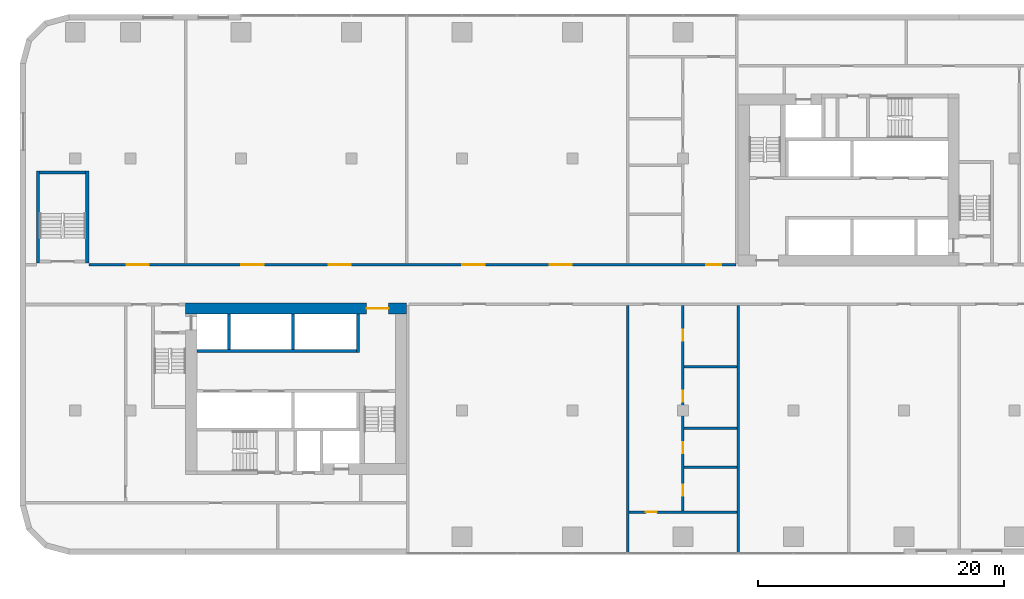
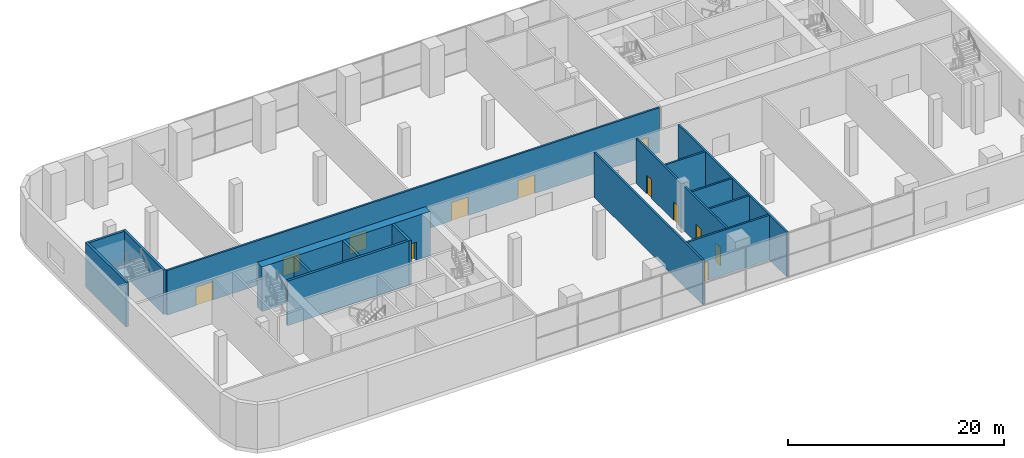
# One storey, part 10 of 21: 16 walls, 12 doors, 12 openings.
"""IFC4 building model written with IfcOpenShell, lengths in metres."""

from ifc_helpers import new_model, si_unit, direction, frame, frame_2d, origin, place, context, subcontext, project, spatial, rectangle, extrude, material, layer, layer_set, type_object, element, fill, save


model = new_model("IFC4")

# Units and contexts
model_context = context("Model", 3, precision=1e-05, world=origin(), true_north=direction((0.0, 1.0)))
body_context = subcontext(model_context, "Body", "Model", "MODEL_VIEW")
ifc_project = project(units=[si_unit("LENGTHUNIT", "METRE"), si_unit("AREAUNIT", "SQUARE_METRE"), si_unit("VOLUMEUNIT", "CUBIC_METRE"), si_unit("PLANEANGLEUNIT", "RADIAN"), si_unit("MASSUNIT", "GRAM", prefix="KILO")], contexts=[model_context])

# Site, building, storey
site_placement = place(None, origin())
site = spatial("IfcSite", under=ifc_project, at=site_placement, CompositionType="ELEMENT")
building_placement = place(site_placement, origin())
building = spatial("IfcBuilding", under=site, at=building_placement, Name="Kajstack Hotel Tower", CompositionType="ELEMENT")
storey_placement = place(building_placement, frame((0.0, 0.0, 23.5)))
storey = spatial("IfcBuildingStorey", under=building, at=storey_placement, Name="L03", CompositionType="ELEMENT", Elevation=23.5)

# Wall, opening, door
ifc_material_1 = material(Name="Concrete C60/75", Category="concrete")
ifc_layer_1 = layer(ifc_material_1, 0.89990234375)
ifc_layer_set_1 = layer_set([ifc_layer_1], Name="Core wall 900")
wall_type_1 = type_object("IfcWallType", Name="Core wall 900", PredefinedType="SHEAR", material=ifc_layer_set_1)
wall_1_placement = place(storey_placement, frame((-31.5, -1.949951171875, 0.0), z_axis=(0.0, 0.0, 1.0), x_axis=(1.0, 0.0, 0.0)))
wall_1 = element("IfcWall", 1, at=wall_1_placement, inside=storey, type_object=wall_type_1, Name="Core wall W RN", PredefinedType="SHEAR", context=body_context, shape_type="SweptSolid", body=[
    extrude(rectangle(XDim=18.0, YDim=0.89990234375, at=frame_2d((9.0, 0.0))), origin(), (0.0, 0.0, 1.0), 5.050048828125),
])
opening_1_placement = place(wall_1_placement, frame((14.72509765625, 0.0, 0.0)))
opening_1 = element("IfcOpeningElement", 2, at=opening_1_placement, cuts=wall_1, Name="Opening 03W06", PredefinedType="OPENING", context=body_context, shape_type="SweptSolid", body=[
    extrude(rectangle(XDim=1.800048828125, YDim=2.10009765625, at=frame_2d((0.89990234375, 1.050048828125))), frame((0.0, 0.4599609375, 0.0), z_axis=(0.0, -1.0, 0.0), x_axis=(1.0, 0.0, 0.0)), (0.0, 0.0, 1.0), 0.919921875),
])
ifc_material_2 = material(Name="Glazed steel frame, fire-rated glass", Category="steel")
door_type_1 = type_object("IfcDoorType", Name="Lobby double door 1800", OperationType="DOUBLE_DOOR_DOUBLE_SWING", PredefinedType="DOOR", material=ifc_material_2)
door_1_placement = place(opening_1_placement, origin())
door_1 = element("IfcDoor", 3, at=door_1_placement, inside=storey, type_object=door_type_1, Name="Door 03W06", OperationType="DOUBLE_DOOR_DOUBLE_SWING", OverallHeight=2.10009765625, OverallWidth=1.800048828125, PredefinedType="DOOR", context=body_context, shape_type="SweptSolid", body=[
    extrude(rectangle(XDim=1.800048828125, YDim=2.10009765625, at=frame_2d((0.89990234375, 1.050048828125))), frame((0.0, 0.02490234375, 0.0), z_axis=(0.0, -1.0, 0.0), x_axis=(1.0, 0.0, 0.0)), (0.0, 0.0, 1.0), 0.050048828125),
])
fill(opening_1, door_1)

# Wall
ifc_material_3 = material(Name="Concrete C50/60", Category="concrete")
ifc_layer_2 = layer(ifc_material_3, 0.300048828125)
ifc_layer_set_2 = layer_set([ifc_layer_2], Name="Hoistway divider wall 300")
wall_type_2 = type_object("IfcWallType", Name="Hoistway divider wall 300", PredefinedType="SHEAR", material=ifc_layer_set_2)
wall_2_placement = place(storey_placement, frame((-22.77490234375, -5.300048828125, 0.0), z_axis=(0.0, 0.0, 1.0), x_axis=(0.0, 1.0, 0.0)))
element("IfcWall", 4, at=wall_2_placement, inside=storey, type_object=wall_type_2, Name="Core wall W AP2", PredefinedType="SHEAR", context=body_context, shape_type="SweptSolid", body=[
    extrude(rectangle(XDim=2.900146484375, YDim=0.25, at=frame_2d((1.4501953125, 0.0))), origin(), (0.0, 0.0, 1.0), 5.050048828125),
])

# Wall, openings, doors
ifc_material_4 = material(Name="Gypsum board on steel studs, mineral wool", Category="steel")
ifc_layer_3 = layer(ifc_material_4, 0.199951171875)
ifc_layer_set_3 = layer_set([ifc_layer_3], Name="Public partition 200")
wall_type_3 = type_object("IfcWallType", Name="Public partition 200", PredefinedType="PARTITIONING", material=ifc_layer_set_3)
wall_3_placement = place(storey_placement, frame((-39.39990234375, 1.60009765625, 0.0), z_axis=(0.0, 0.0, 1.0), x_axis=(1.0, 0.0, 0.0)))
wall_3 = element("IfcWall", 5, at=wall_3_placement, inside=storey, type_object=wall_type_3, Name="Partition FW", PredefinedType="PARTITIONING", context=body_context, shape_type="SweptSolid", body=[
    extrude(rectangle(XDim=52.699951171875, YDim=0.199951171875, at=frame_2d((26.35009765625, 0.0))), origin(), (0.0, 0.0, 1.0), 5.050048828125),
])
opening_2_placement = place(wall_3_placement, frame((50.300048828125, 0.0, 0.0)))
opening_2 = element("IfcOpeningElement", 6, at=opening_2_placement, cuts=wall_3, Name="Opening 03P01", PredefinedType="OPENING", context=body_context, shape_type="SweptSolid", body=[
    extrude(rectangle(XDim=1.199951171875, YDim=2.10009765625, at=frame_2d((0.60009765625, 1.050048828125))), frame((0.0, 0.10986328125, 0.0), z_axis=(0.0, -1.0, 0.0), x_axis=(1.0, 0.0, 0.0)), (0.0, 0.0, 1.0), 0.219970703125),
])
opening_3_placement = place(wall_3_placement, frame((37.56005859375, 0.0, 0.0)))
opening_3 = element("IfcOpeningElement", 7, at=opening_3_placement, cuts=wall_3, Name="Opening 03P07", PredefinedType="OPENING", context=body_context, shape_type="SweptSolid", body=[
    extrude(rectangle(XDim=1.800048828125, YDim=2.10009765625, at=frame_2d((0.89990234375, 1.050048828125))), frame((0.0, 0.10986328125, 0.0), z_axis=(0.0, -1.0, 0.0), x_axis=(1.0, 0.0, 0.0)), (0.0, 0.0, 1.0), 0.219970703125),
])
opening_4_placement = place(wall_3_placement, frame((30.43994140625, 0.0, 0.0)))
opening_4 = element("IfcOpeningElement", 8, at=opening_4_placement, cuts=wall_3, Name="Opening 03P08", PredefinedType="OPENING", context=body_context, shape_type="SweptSolid", body=[
    extrude(rectangle(XDim=1.800048828125, YDim=2.10009765625, at=frame_2d((0.89990234375, 1.050048828125))), frame((0.0, 0.10986328125, 0.0), z_axis=(0.0, -1.0, 0.0), x_axis=(1.0, 0.0, 0.0)), (0.0, 0.0, 1.0), 0.219970703125),
])
opening_5_placement = place(wall_3_placement, frame((19.56005859375, 0.0, 0.0)))
opening_5 = element("IfcOpeningElement", 9, at=opening_5_placement, cuts=wall_3, Name="Opening 03P09", PredefinedType="OPENING", context=body_context, shape_type="SweptSolid", body=[
    extrude(rectangle(XDim=1.800048828125, YDim=2.10009765625, at=frame_2d((0.89990234375, 1.050048828125))), frame((0.0, 0.10986328125, 0.0), z_axis=(0.0, -1.0, 0.0), x_axis=(1.0, 0.0, 0.0)), (0.0, 0.0, 1.0), 0.219970703125),
])
opening_6_placement = place(wall_3_placement, frame((12.43994140625, 0.0, 0.0)))
opening_6 = element("IfcOpeningElement", 10, at=opening_6_placement, cuts=wall_3, Name="Opening 03P10", PredefinedType="OPENING", context=body_context, shape_type="SweptSolid", body=[
    extrude(rectangle(XDim=1.800048828125, YDim=2.10009765625, at=frame_2d((0.89990234375, 1.050048828125))), frame((0.0, 0.10986328125, 0.0), z_axis=(0.0, -1.0, 0.0), x_axis=(1.0, 0.0, 0.0)), (0.0, 0.0, 1.0), 0.219970703125),
])
opening_7_placement = place(wall_3_placement, frame((3.10009765625, 0.0, 0.0)))
opening_7 = element("IfcOpeningElement", 11, at=opening_7_placement, cuts=wall_3, Name="Opening 03P11", PredefinedType="OPENING", context=body_context, shape_type="SweptSolid", body=[
    extrude(rectangle(XDim=1.800048828125, YDim=2.10009765625, at=frame_2d((0.89990234375, 1.050048828125))), frame((0.0, 0.10986328125, 0.0), z_axis=(0.0, -1.0, 0.0), x_axis=(1.0, 0.0, 0.0)), (0.0, 0.0, 1.0), 0.219970703125),
])
ifc_material_5 = material(Name="Timber leaf, fire-rated", Category="wood")
door_type_2 = type_object("IfcDoorType", Name="Public corridor door 1200", OperationType="SINGLE_SWING_LEFT", PredefinedType="DOOR", material=ifc_material_5)
door_2_placement = place(opening_2_placement, origin())
door_2 = element("IfcDoor", 12, at=door_2_placement, inside=storey, type_object=door_type_2, Name="Door 03P01", OperationType="SINGLE_SWING_LEFT", OverallHeight=2.10009765625, OverallWidth=1.199951171875, PredefinedType="DOOR", context=body_context, shape_type="SweptSolid", body=[
    extrude(rectangle(XDim=1.199951171875, YDim=2.10009765625, at=frame_2d((0.60009765625, 1.050048828125))), frame((0.0, 0.02490234375, 0.0), z_axis=(0.0, -1.0, 0.0), x_axis=(1.0, 0.0, 0.0)), (0.0, 0.0, 1.0), 0.050048828125),
])
fill(opening_2, door_2)
ifc_material_6 = material(Name="Glazed timber frame, fire-rated glass", Category="wood")
door_type_3 = type_object("IfcDoorType", Name="Public double door 1800", OperationType="DOUBLE_DOOR_DOUBLE_SWING", PredefinedType="DOOR", material=ifc_material_6)
door_3_placement = place(opening_3_placement, origin())
door_3 = element("IfcDoor", 13, at=door_3_placement, inside=storey, type_object=door_type_3, Name="Door 03P07", OperationType="DOUBLE_DOOR_DOUBLE_SWING", OverallHeight=2.10009765625, OverallWidth=1.800048828125, PredefinedType="DOOR", context=body_context, shape_type="SweptSolid", body=[
    extrude(rectangle(XDim=1.800048828125, YDim=2.10009765625, at=frame_2d((0.89990234375, 1.050048828125))), frame((0.0, 0.02490234375, 0.0), z_axis=(0.0, -1.0, 0.0), x_axis=(1.0, 0.0, 0.0)), (0.0, 0.0, 1.0), 0.050048828125),
])
fill(opening_3, door_3)
door_4_placement = place(opening_4_placement, origin())
door_4 = element("IfcDoor", 14, at=door_4_placement, inside=storey, type_object=door_type_3, Name="Door 03P08", OperationType="DOUBLE_DOOR_DOUBLE_SWING", OverallHeight=2.10009765625, OverallWidth=1.800048828125, PredefinedType="DOOR", context=body_context, shape_type="SweptSolid", body=[
    extrude(rectangle(XDim=1.800048828125, YDim=2.10009765625, at=frame_2d((0.89990234375, 1.050048828125))), frame((0.0, 0.02490234375, 0.0), z_axis=(0.0, -1.0, 0.0), x_axis=(1.0, 0.0, 0.0)), (0.0, 0.0, 1.0), 0.050048828125),
])
fill(opening_4, door_4)
door_5_placement = place(opening_5_placement, origin())
door_5 = element("IfcDoor", 15, at=door_5_placement, inside=storey, type_object=door_type_3, Name="Door 03P09", OperationType="DOUBLE_DOOR_DOUBLE_SWING", OverallHeight=2.10009765625, OverallWidth=1.800048828125, PredefinedType="DOOR", context=body_context, shape_type="SweptSolid", body=[
    extrude(rectangle(XDim=1.800048828125, YDim=2.10009765625, at=frame_2d((0.89990234375, 1.050048828125))), frame((0.0, 0.02490234375, 0.0), z_axis=(0.0, -1.0, 0.0), x_axis=(1.0, 0.0, 0.0)), (0.0, 0.0, 1.0), 0.050048828125),
])
fill(opening_5, door_5)
door_6_placement = place(opening_6_placement, origin())
door_6 = element("IfcDoor", 16, at=door_6_placement, inside=storey, type_object=door_type_3, Name="Door 03P10", OperationType="DOUBLE_DOOR_DOUBLE_SWING", OverallHeight=2.10009765625, OverallWidth=1.800048828125, PredefinedType="DOOR", context=body_context, shape_type="SweptSolid", body=[
    extrude(rectangle(XDim=1.800048828125, YDim=2.10009765625, at=frame_2d((0.89990234375, 1.050048828125))), frame((0.0, 0.02490234375, 0.0), z_axis=(0.0, -1.0, 0.0), x_axis=(1.0, 0.0, 0.0)), (0.0, 0.0, 1.0), 0.050048828125),
])
fill(opening_6, door_6)
door_7_placement = place(opening_7_placement, origin())
door_7 = element("IfcDoor", 17, at=door_7_placement, inside=storey, type_object=door_type_3, Name="Door 03P11", OperationType="DOUBLE_DOOR_DOUBLE_SWING", OverallHeight=2.10009765625, OverallWidth=1.800048828125, PredefinedType="DOOR", context=body_context, shape_type="SweptSolid", body=[
    extrude(rectangle(XDim=1.800048828125, YDim=2.10009765625, at=frame_2d((0.89990234375, 1.050048828125))), frame((0.0, 0.02490234375, 0.0), z_axis=(0.0, -1.0, 0.0), x_axis=(1.0, 0.0, 0.0)), (0.0, 0.0, 1.0), 0.050048828125),
])
fill(opening_7, door_7)

# Wall
wall_4_placement = place(storey_placement, frame((4.5, -21.85009765625, 0.0), z_axis=(0.0, 0.0, 1.0), x_axis=(0.0, 1.0, 0.0)))
element("IfcWall", 18, at=wall_4_placement, inside=storey, type_object=wall_type_3, Name="Partition SPX0", PredefinedType="PARTITIONING", context=body_context, shape_type="SweptSolid", body=[
    extrude(rectangle(XDim=20.150146484375, YDim=0.199951171875, at=frame_2d((10.0751953125, 0.0))), origin(), (0.0, 0.0, 1.0), 5.050048828125),
])

# Wall, openings, doors
wall_5_placement = place(storey_placement, frame((9.0, -18.449951171875, 0.0), z_axis=(0.0, 0.0, 1.0), x_axis=(0.0, 1.0, 0.0)))
wall_5 = element("IfcWall", 19, at=wall_5_placement, inside=storey, type_object=wall_type_3, Name="Partition SC1CW", PredefinedType="PARTITIONING", context=body_context, shape_type="SweptSolid", body=[
    extrude(rectangle(XDim=16.75, YDim=0.199951171875, at=frame_2d((8.375, 0.0))), origin(), (0.0, 0.0, 1.0), 5.050048828125),
])
opening_8_placement = place(wall_5_placement, frame((13.85009765625, 0.0, 0.0)))
opening_8 = element("IfcOpeningElement", 20, at=opening_8_placement, cuts=wall_5, Name="Opening 03P15", PredefinedType="OPENING", context=body_context, shape_type="SweptSolid", body=[
    extrude(rectangle(XDim=0.89990234375, YDim=2.10009765625, at=frame_2d((0.449951171875, 1.050048828125))), frame((0.0, 0.10986328125, 0.0), z_axis=(0.0, -1.0, 0.0), x_axis=(1.0, 0.0, 0.0)), (0.0, 0.0, 1.0), 0.219970703125),
])
opening_9_placement = place(wall_5_placement, frame((8.89990234375, 0.0, 0.0)))
opening_9 = element("IfcOpeningElement", 21, at=opening_9_placement, cuts=wall_5, Name="Opening 03P16", PredefinedType="OPENING", context=body_context, shape_type="SweptSolid", body=[
    extrude(rectangle(XDim=0.89990234375, YDim=2.10009765625, at=frame_2d((0.449951171875, 1.050048828125))), frame((0.0, 0.10986328125, 0.0), z_axis=(0.0, -1.0, 0.0), x_axis=(1.0, 0.0, 0.0)), (0.0, 0.0, 1.0), 0.219970703125),
])
opening_10_placement = place(wall_5_placement, frame((4.699951171875, 0.0, 0.0)))
opening_10 = element("IfcOpeningElement", 22, at=opening_10_placement, cuts=wall_5, Name="Opening 03P17", PredefinedType="OPENING", context=body_context, shape_type="SweptSolid", body=[
    extrude(rectangle(XDim=0.89990234375, YDim=2.10009765625, at=frame_2d((0.449951171875, 1.050048828125))), frame((0.0, 0.10986328125, 0.0), z_axis=(0.0, -1.0, 0.0), x_axis=(1.0, 0.0, 0.0)), (0.0, 0.0, 1.0), 0.219970703125),
])
opening_11_placement = place(wall_5_placement, frame((1.22509765625, 0.0, 0.0)))
opening_11 = element("IfcOpeningElement", 23, at=opening_11_placement, cuts=wall_5, Name="Opening 03P18", PredefinedType="OPENING", context=body_context, shape_type="SweptSolid", body=[
    extrude(rectangle(XDim=0.89990234375, YDim=2.10009765625, at=frame_2d((0.449951171875, 1.050048828125))), frame((0.0, 0.10986328125, 0.0), z_axis=(0.0, -1.0, 0.0), x_axis=(1.0, 0.0, 0.0)), (0.0, 0.0, 1.0), 0.219970703125),
])
ifc_material_7 = material(Name="Timber leaf", Category="wood")
door_type_4 = type_object("IfcDoorType", Name="Public room door 900", OperationType="SINGLE_SWING_LEFT", PredefinedType="DOOR", material=ifc_material_7)
door_8_placement = place(opening_8_placement, origin())
door_8 = element("IfcDoor", 24, at=door_8_placement, inside=storey, type_object=door_type_4, Name="Door 03P15", OperationType="SINGLE_SWING_RIGHT", OverallHeight=2.10009765625, OverallWidth=0.89990234375, PredefinedType="DOOR", context=body_context, shape_type="SweptSolid", body=[
    extrude(rectangle(XDim=0.89990234375, YDim=2.10009765625, at=frame_2d((0.449951171875, 1.050048828125))), frame((0.0, 0.02490234375, 0.0), z_axis=(0.0, -1.0, 0.0), x_axis=(1.0, 0.0, 0.0)), (0.0, 0.0, 1.0), 0.050048828125),
])
fill(opening_8, door_8)
door_9_placement = place(opening_9_placement, origin())
door_9 = element("IfcDoor", 25, at=door_9_placement, inside=storey, type_object=door_type_4, Name="Door 03P16", OperationType="SINGLE_SWING_RIGHT", OverallHeight=2.10009765625, OverallWidth=0.89990234375, PredefinedType="DOOR", context=body_context, shape_type="SweptSolid", body=[
    extrude(rectangle(XDim=0.89990234375, YDim=2.10009765625, at=frame_2d((0.449951171875, 1.050048828125))), frame((0.0, 0.02490234375, 0.0), z_axis=(0.0, -1.0, 0.0), x_axis=(1.0, 0.0, 0.0)), (0.0, 0.0, 1.0), 0.050048828125),
])
fill(opening_9, door_9)
door_10_placement = place(opening_10_placement, origin())
door_10 = element("IfcDoor", 26, at=door_10_placement, inside=storey, type_object=door_type_4, Name="Door 03P17", OperationType="SINGLE_SWING_RIGHT", OverallHeight=2.10009765625, OverallWidth=0.89990234375, PredefinedType="DOOR", context=body_context, shape_type="SweptSolid", body=[
    extrude(rectangle(XDim=0.89990234375, YDim=2.10009765625, at=frame_2d((0.449951171875, 1.050048828125))), frame((0.0, 0.02490234375, 0.0), z_axis=(0.0, -1.0, 0.0), x_axis=(1.0, 0.0, 0.0)), (0.0, 0.0, 1.0), 0.050048828125),
])
fill(opening_10, door_10)
door_11_placement = place(opening_11_placement, origin())
door_11 = element("IfcDoor", 27, at=door_11_placement, inside=storey, type_object=door_type_4, Name="Door 03P18", OperationType="SINGLE_SWING_RIGHT", OverallHeight=2.10009765625, OverallWidth=0.89990234375, PredefinedType="DOOR", context=body_context, shape_type="SweptSolid", body=[
    extrude(rectangle(XDim=0.89990234375, YDim=2.10009765625, at=frame_2d((0.449951171875, 1.050048828125))), frame((0.0, 0.02490234375, 0.0), z_axis=(0.0, -1.0, 0.0), x_axis=(1.0, 0.0, 0.0)), (0.0, 0.0, 1.0), 0.050048828125),
])
fill(opening_11, door_11)

# Walls
for number, where, z_axis, x_axis, name in (
    (28, (9.10009765625, -6.699951171875, 0.0), (0.0, 0.0, 1.0), (1.0, 0.0, 0.0), "Partition SC1wP0"),
    (29, (9.10009765625, -11.699951171875, 0.0), (0.0, 0.0, 1.0), (1.0, 0.0, 0.0), "Partition SC1wP1"),
    (30, (9.10009765625, -14.89990234375, 0.0), (0.0, 0.0, 1.0), (1.0, 0.0, 0.0), "Partition SC1wP2"),
):
    element("IfcWall", number, at=place(storey_placement, frame(where, z_axis=z_axis, x_axis=x_axis)), inside=storey, type_object=wall_type_3, Name=name, PredefinedType="PARTITIONING", context=body_context, shape_type="SweptSolid", body=[
        extrude(rectangle(XDim=4.2998046875, YDim=0.199951171875, at=frame_2d((2.14990234375, 0.0))), origin(), (0.0, 0.0, 1.0), 5.050048828125),
    ])

# Wall, opening, door
wall_6_placement = place(storey_placement, frame((4.60009765625, -18.550048828125, 0.0), z_axis=(0.0, 0.0, 1.0), x_axis=(1.0, 0.0, 0.0)))
wall_6 = element("IfcWall", 31, at=wall_6_placement, inside=storey, type_object=wall_type_3, Name="Partition SC1BW", PredefinedType="PARTITIONING", context=body_context, shape_type="SweptSolid", body=[
    extrude(rectangle(XDim=8.7998046875, YDim=0.199951171875, at=frame_2d((4.39990234375, 0.0))), origin(), (0.0, 0.0, 1.0), 5.050048828125),
])
opening_12_placement = place(wall_6_placement, frame((1.375, 0.0, 0.0)))
opening_12 = element("IfcOpeningElement", 32, at=opening_12_placement, cuts=wall_6, Name="Opening 03P19", PredefinedType="OPENING", context=body_context, shape_type="SweptSolid", body=[
    extrude(rectangle(XDim=0.89990234375, YDim=2.10009765625, at=frame_2d((0.449951171875, 1.050048828125))), frame((0.0, 0.10986328125, 0.0), z_axis=(0.0, -1.0, 0.0), x_axis=(1.0, 0.0, 0.0)), (0.0, 0.0, 1.0), 0.219970703125),
])
door_12_placement = place(opening_12_placement, origin())
door_12 = element("IfcDoor", 33, at=door_12_placement, inside=storey, type_object=door_type_4, Name="Door 03P19", OperationType="SINGLE_SWING_RIGHT", OverallHeight=2.10009765625, OverallWidth=0.89990234375, PredefinedType="DOOR", context=body_context, shape_type="SweptSolid", body=[
    extrude(rectangle(XDim=0.89990234375, YDim=2.10009765625, at=frame_2d((0.449951171875, 1.050048828125))), frame((0.0, 0.02490234375, 0.0), z_axis=(0.0, -1.0, 0.0), x_axis=(1.0, 0.0, 0.0)), (0.0, 0.0, 1.0), 0.050048828125),
])
fill(opening_12, door_12)

# Walls
wall_7_placement = place(storey_placement, frame((13.5, -21.85009765625, 0.0), z_axis=(0.0, 0.0, 1.0), x_axis=(0.0, 1.0, 0.0)))
element("IfcWall", 34, at=wall_7_placement, inside=storey, type_object=wall_type_3, Name="Partition SPX1", PredefinedType="PARTITIONING", context=body_context, shape_type="SweptSolid", body=[
    extrude(rectangle(XDim=20.150146484375, YDim=0.199951171875, at=frame_2d((10.0751953125, 0.0))), origin(), (0.0, 0.0, 1.0), 5.050048828125),
])
ifc_layer_4 = layer(ifc_material_3, 0.25)
ifc_layer_set_4 = layer_set([ifc_layer_4], Name="Shaft wall 250")
wall_type_4 = type_object("IfcWallType", Name="Shaft wall 250", PredefinedType="SHEAR", material=ifc_layer_set_4)
wall_8_placement = place(storey_placement, frame((-30.60009765625, -5.425048828125, 0.0), z_axis=(0.0, 0.0, 1.0), x_axis=(1.0, 0.0, 0.0)))
element("IfcWall", 35, at=wall_8_placement, inside=storey, type_object=wall_type_4, Name="Core wall W FA", PredefinedType="SHEAR", context=body_context, shape_type="SweptSolid", body=[
    extrude(rectangle(XDim=13.0, YDim=0.25, at=frame_2d((6.5, 0.0))), origin(), (0.0, 0.0, 1.0), 5.050048828125),
])
wall_9_placement = place(storey_placement, frame((-17.47509765625, -5.550048828125, 0.0), z_axis=(0.0, 0.0, 1.0), x_axis=(0.0, 1.0, 0.0)))
element("IfcWall", 36, at=wall_9_placement, inside=storey, type_object=wall_type_4, Name="Core wall W AE", PredefinedType="SHEAR", context=body_context, shape_type="SweptSolid", body=[
    extrude(rectangle(XDim=3.150146484375, YDim=0.25, at=frame_2d((1.5751953125, 0.0))), origin(), (0.0, 0.0, 1.0), 5.050048828125),
])
wall_10_placement = place(storey_placement, frame((-27.97509765625, -5.300048828125, 0.0), z_axis=(0.0, 0.0, 1.0), x_axis=(0.0, 1.0, 0.0)))
element("IfcWall", 37, at=wall_10_placement, inside=storey, type_object=wall_type_4, Name="Core wall W AP0", PredefinedType="SHEAR", context=body_context, shape_type="SweptSolid", body=[
    extrude(rectangle(XDim=2.900146484375, YDim=0.25, at=frame_2d((1.4501953125, 0.0))), origin(), (0.0, 0.0, 1.0), 5.050048828125),
])
ifc_material_8 = material(Name="Concrete C40/50", Category="concrete")
ifc_layer_5 = layer(ifc_material_8, 0.25)
ifc_layer_set_5 = layer_set([ifc_layer_5], Name="Stair enclosure wall 250")
wall_type_5 = type_object("IfcWallType", Name="Stair enclosure wall 250", PredefinedType="SHEAR", material=ifc_layer_set_5)
for number, where, z_axis, x_axis, name in (
    (38, (-43.52490234375, 1.75, 0.0), (0.0, 0.0, 1.0), (0.0, 1.0, 0.0), "Stair wall P1 W"),
    (39, (-39.52490234375, 1.75, 0.0), (0.0, 0.0, 1.0), (0.0, 1.0, 0.0), "Stair wall P1 E"),
):
    element("IfcWall", number, at=place(storey_placement, frame(where, z_axis=z_axis, x_axis=x_axis)), inside=storey, type_object=wall_type_5, Name=name, PredefinedType="SHEAR", context=body_context, shape_type="SweptSolid", body=[
        extrude(rectangle(XDim=7.5, YDim=0.25, at=frame_2d((3.75, 0.0))), origin(), (0.0, 0.0, 1.0), 5.050048828125),
    ])
wall_11_placement = place(storey_placement, frame((-43.39990234375, 9.125, 0.0), z_axis=(0.0, 0.0, 1.0), x_axis=(1.0, 0.0, 0.0)))
element("IfcWall", 40, at=wall_11_placement, inside=storey, type_object=wall_type_5, Name="Stair wall P1 F", PredefinedType="SHEAR", context=body_context, shape_type="SweptSolid", body=[
    extrude(rectangle(XDim=3.75, YDim=0.25, at=frame_2d((1.875, 0.0))), origin(), (0.0, 0.0, 1.0), 5.050048828125),
])

save(model, "model.ifc")
